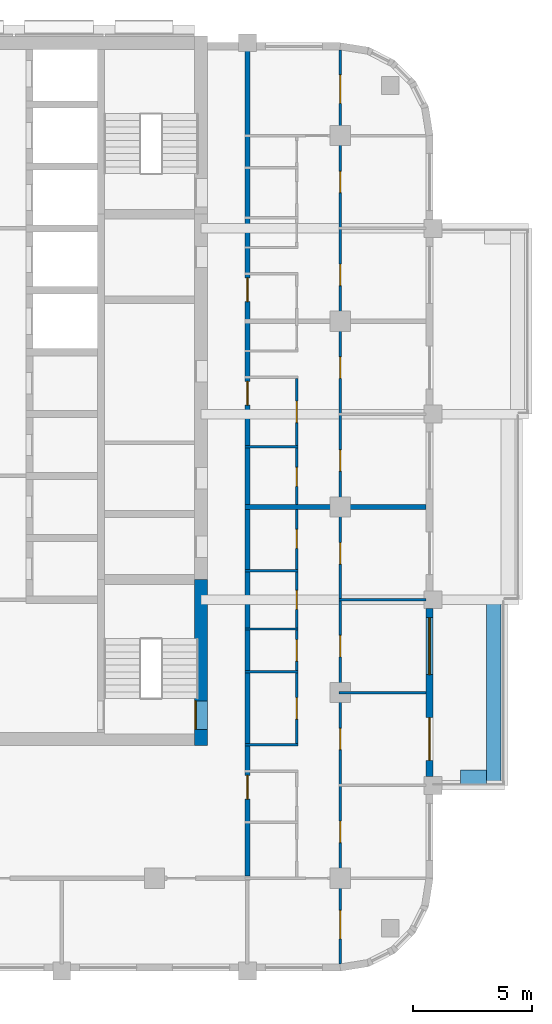
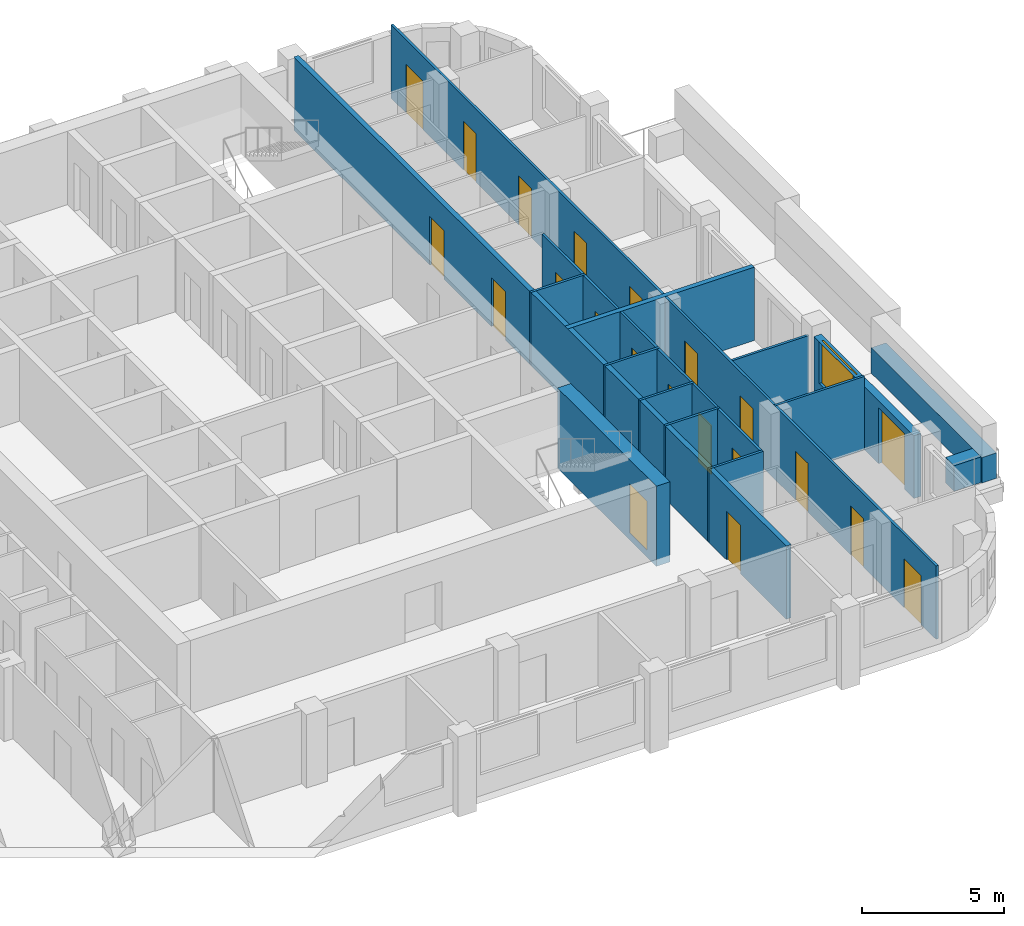
# One storey, part 6 of 13: 21 doors, 15 walls, 1 window, 22 openings.
"""IFC4 building model written with IfcOpenShell, lengths in metres."""

from ifc_helpers import new_model, si_unit, direction, frame, frame_2d, origin, place, context, subcontext, project, spatial, rectangle, extrude, material, layer, layer_set, type_object, element, fill, save


model = new_model("IFC4")

# Units and contexts
model_context = context("Model", 3, precision=1e-05, world=origin(), true_north=direction((0.0, 1.0)))
body_context = subcontext(model_context, "Body", "Model", "MODEL_VIEW")
ifc_project = project(units=[si_unit("LENGTHUNIT", "METRE"), si_unit("AREAUNIT", "SQUARE_METRE"), si_unit("VOLUMEUNIT", "CUBIC_METRE"), si_unit("PLANEANGLEUNIT", "RADIAN"), si_unit("MASSUNIT", "GRAM", prefix="KILO")], contexts=[model_context])

# Site, building, storey
site_placement = place(None, origin())
site = spatial("IfcSite", under=ifc_project, at=site_placement, CompositionType="ELEMENT")
building_placement = place(site_placement, origin())
building = spatial("IfcBuilding", under=site, at=building_placement, Name="Ludao Terraces", CompositionType="ELEMENT")
storey_placement = place(building_placement, frame((0.0, 0.0, 148.60009765625)))
storey = spatial("IfcBuildingStorey", under=building, at=storey_placement, Name="L40", CompositionType="ELEMENT", Elevation=148.60009765625)

# Wall, opening, door
ifc_material_1 = material(Name="Concrete C60", Category="concrete")
ifc_layer_1 = layer(ifc_material_1, 0.550048828125)
ifc_layer_set_1 = layer_set([ifc_layer_1], Name="Core wall 550 C60")
wall_type_1 = type_object("IfcWallType", Name="Core wall 550 C60", PredefinedType="SOLIDWALL", material=ifc_layer_set_1)
wall_1_placement = place(storey_placement, frame((94.75, 54.97509765625, -0.300048828125), z_axis=(0.0, 0.0, 1.0), x_axis=(0.0, 1.0, 0.0)))
wall_1 = element("IfcWall", 1, at=wall_1_placement, inside=storey, type_object=wall_type_1, Name="Core wall L40 outer-E-S3", PredefinedType="SOLIDWALL", context=body_context, shape_type="SweptSolid", body=[
    extrude(rectangle(XDim=6.974853515625, YDim=0.550048828125, at=frame_2d((3.4873046875, 0.0))), origin(), (0.0, 0.0, 1.0), 3.449951171875),
])
opening_1_placement = place(wall_1_placement, frame((0.675048828125, 0.0, 0.300048828125)))
opening_1 = element("IfcOpeningElement", 2, at=opening_1_placement, cuts=wall_1, Name="Opening R14-019", PredefinedType="OPENING", context=body_context, shape_type="SweptSolid", body=[
    extrude(rectangle(XDim=1.199951171875, YDim=2.10009765625, at=frame_2d((0.60009765625, 1.050048828125))), frame((0.0, 0.28515625, 0.0), z_axis=(0.0, -1.0, 0.0), x_axis=(1.0, 0.0, 0.0)), (0.0, 0.0, 1.0), 0.570068359375),
])
ifc_material_2 = material(Name="Steel Q235", Category="steel")
door_type_1 = type_object("IfcDoorType", Name="INT Stair door 1200", OperationType="DOUBLE_DOOR_SINGLE_SWING", PredefinedType="DOOR", material=ifc_material_2)
door_1_placement = place(opening_1_placement, origin())
door_1 = element("IfcDoor", 3, at=door_1_placement, inside=storey, type_object=door_type_1, Name="DOOR 019", OperationType="DOUBLE_DOOR_SINGLE_SWING", OverallHeight=2.10009765625, OverallWidth=1.199951171875, PredefinedType="DOOR", context=body_context, shape_type="SweptSolid", body=[
    extrude(rectangle(XDim=1.199951171875, YDim=2.10009765625, at=frame_2d((0.60009765625, 1.050048828125))), frame((0.0, 0.26025390625, 0.0), z_axis=(0.0, -1.0, 0.0), x_axis=(1.0, 0.0, 0.0)), (0.0, 0.0, 1.0), 0.050048828125),
])
fill(opening_1, door_1)

# Walls
ifc_material_3 = material(Name="Concrete C40", Category="concrete")
ifc_layer_2 = layer(ifc_material_3, 0.60009765625)
ifc_layer_set_2 = layer_set([ifc_layer_2], Name="ENV Planter trough 600")
wall_type_2 = type_object("IfcWallType", Name="ENV Planter trough 600", PredefinedType="USERDEFINED", material=ifc_layer_set_2)
wall_2_placement = place(storey_placement, frame((107.050048828125, 53.300048828125, 0.0), z_axis=(0.0, 0.0, 1.0), x_axis=(0.0, 1.0, 0.0)))
element("IfcWall", 4, at=wall_2_placement, inside=storey, type_object=wall_type_2, Name="PL-L40-E1", ObjectType="PLANTER", PredefinedType="USERDEFINED", context=body_context, shape_type="SweptSolid", body=[
    extrude(rectangle(XDim=7.800048828125, YDim=0.60009765625, at=frame_2d((3.89990234375, 0.0))), origin(), (0.0, 0.0, 1.0), 1.099853515625),
])
wall_3_placement = place(storey_placement, frame((106.75, 53.64990234375, 0.0), z_axis=(0.0, 0.0, 1.0), x_axis=(-1.0, 0.0, 0.0)))
element("IfcWall", 5, at=wall_3_placement, inside=storey, type_object=wall_type_2, Name="PL-L40-E1-SA", ObjectType="PLANTER", PredefinedType="USERDEFINED", context=body_context, shape_type="SweptSolid", body=[
    extrude(rectangle(XDim=1.10009765625, YDim=0.60009765625, at=frame_2d((0.550048828125, 0.0))), origin(), (0.0, 0.0, 1.0), 1.099853515625),
])

# Wall, openings, door, window
ifc_material_4 = material(Name="Granite cladding", Category="masonry")
ifc_layer_3 = layer(ifc_material_4, 0.0400390625, Category="stone")
ifc_material_5 = material(Name="Mineral wool")
ifc_layer_4 = layer(ifc_material_5, 0.06005859375)
ifc_layer_5 = layer(ifc_material_3, 0.199951171875, Category="concrete")
ifc_layer_set_3 = layer_set([ifc_layer_3, ifc_layer_4, ifc_layer_5], Name="ENV Stone-clad wall 300")
wall_type_3 = type_object("IfcWallType", Name="ENV Stone-clad wall 300", PredefinedType="SOLIDWALL", material=ifc_layer_set_3)
wall_4_placement = place(storey_placement, frame((104.35009765625, 53.675048828125, 0.0), z_axis=(0.0, 0.0, 1.0), x_axis=(0.0, 1.0, 0.0)))
wall_4 = element("IfcWall", 6, at=wall_4_placement, inside=storey, type_object=wall_type_3, Name="EW-L40-E2", PredefinedType="SOLIDWALL", context=body_context, shape_type="SweptSolid", body=[
    extrude(rectangle(XDim=7.050048828125, YDim=0.300048828125, at=frame_2d((3.52490234375, 0.0))), origin(), (0.0, 0.0, 1.0), 2.699951171875),
])
opening_2_placement = place(wall_4_placement, frame((0.675048828125, 0.0, 0.0)))
opening_2 = element("IfcOpeningElement", 7, at=opening_2_placement, cuts=wall_4, Name="Opening BD", PredefinedType="OPENING", context=body_context, shape_type="SweptSolid", body=[
    extrude(rectangle(XDim=1.800048828125, YDim=2.39990234375, at=frame_2d((0.89990234375, 1.199951171875))), frame((0.0, 0.16015625, 0.0), z_axis=(0.0, -1.0, 0.0), x_axis=(1.0, 0.0, 0.0)), (0.0, 0.0, 1.0), 0.320068359375),
])
opening_3_placement = place(wall_4_placement, frame((4.27490234375, 0.0, 0.89990234375)))
opening_3 = element("IfcOpeningElement", 8, at=opening_3_placement, cuts=wall_4, Name="Opening W1", PredefinedType="OPENING", context=body_context, shape_type="SweptSolid", body=[
    extrude(rectangle(XDim=2.39990234375, YDim=1.800048828125, at=frame_2d((1.199951171875, 0.89990234375))), frame((0.0, 0.16015625, 0.0), z_axis=(0.0, -1.0, 0.0), x_axis=(1.0, 0.0, 0.0)), (0.0, 0.0, 1.0), 0.320068359375),
])
ifc_material_6 = material(Name="Aluminium glazed door", Category="aluminium")
ifc_layer_6 = layer(ifc_material_6, 0.06005859375)
ifc_layer_set_4 = layer_set([ifc_layer_6], Name="ENV Balcony door BD 1800x2400")
door_type_2 = type_object("IfcDoorType", Name="ENV Balcony door BD 1800x2400", OperationType="DOUBLE_DOOR_SINGLE_SWING", PredefinedType="DOOR", material=ifc_layer_set_4)
door_2_placement = place(opening_2_placement, origin())
door_2 = element("IfcDoor", 9, at=door_2_placement, inside=storey, type_object=door_type_2, Name="BD-L40-E2-1", OperationType="DOUBLE_DOOR_SINGLE_SWING", OverallHeight=2.39990234375, OverallWidth=1.800048828125, PredefinedType="DOOR", context=body_context, shape_type="SweptSolid", body=[
    extrude(rectangle(XDim=1.800048828125, YDim=2.39990234375, at=frame_2d((0.89990234375, 1.199951171875))), frame((0.0, 0.02490234375, 0.0), z_axis=(0.0, -1.0, 0.0), x_axis=(1.0, 0.0, 0.0)), (0.0, 0.0, 1.0), 0.050048828125),
])
fill(opening_2, door_2)
ifc_material_7 = material(Name="Clear glass in aluminium frame", Category="aluminium")
ifc_layer_7 = layer(ifc_material_7, 0.06005859375)
ifc_layer_set_5 = layer_set([ifc_layer_7], Name="ENV Window W1 2400x1800")
window_type = type_object("IfcWindowType", Name="ENV Window W1 2400x1800", PartitioningType="DOUBLE_PANEL_VERTICAL", PredefinedType="WINDOW", material=ifc_layer_set_5)
window_placement = place(opening_3_placement, origin())
window = element("IfcWindow", 10, at=window_placement, inside=storey, type_object=window_type, Name="W-L40-E2-2", OverallHeight=1.800048828125, OverallWidth=2.39990234375, PartitioningType="DOUBLE_PANEL_VERTICAL", PredefinedType="WINDOW", context=body_context, shape_type="SweptSolid", body=[
    extrude(rectangle(XDim=2.39990234375, YDim=1.800048828125, at=frame_2d((1.199951171875, 0.89990234375))), frame((0.0, 0.030029296875, 0.0), z_axis=(0.0, -1.0, 0.0), x_axis=(1.0, 0.0, 0.0)), (0.0, 0.0, 1.0), 0.06005859375),
])
fill(opening_3, window)

# Wall, openings, doors
ifc_material_8 = material(Name="Autoclaved aerated concrete block B06 A3.5", Category="concrete")
ifc_layer_8 = layer(ifc_material_8, 0.199951171875)
ifc_layer_set_6 = layer_set([ifc_layer_8], Name="INT Entrance wall 200")
wall_type_4 = type_object("IfcWallType", Name="INT Entrance wall 200", PredefinedType="PARTITIONING", material=ifc_layer_set_6)
wall_5_placement = place(storey_placement, frame((96.699951171875, 49.5, 0.0), z_axis=(0.0, 0.0, 1.0), x_axis=(0.0, 1.0, 0.0)))
wall_5 = element("IfcWall", 11, at=wall_5_placement, inside=storey, type_object=wall_type_4, Name="PW-L40-PW059", PredefinedType="PARTITIONING", context=body_context, shape_type="SweptSolid", body=[
    extrude(rectangle(XDim=34.7001953125, YDim=0.199951171875, at=frame_2d((17.35009765625, 0.0))), origin(), (0.0, 0.0, 1.0), 3.14990234375),
])
opening_4_placement = place(wall_5_placement, frame((3.22509765625, 0.0, 0.0)))
opening_4 = element("IfcOpeningElement", 12, at=opening_4_placement, cuts=wall_5, Name="Opening R14-013", PredefinedType="OPENING", context=body_context, shape_type="SweptSolid", body=[
    extrude(rectangle(XDim=1.0, YDim=2.10009765625, at=frame_2d((0.5, 1.050048828125))), frame((0.0, 0.10986328125, 0.0), z_axis=(0.0, -1.0, 0.0), x_axis=(1.0, 0.0, 0.0)), (0.0, 0.0, 1.0), 0.219970703125),
])
opening_5_placement = place(wall_5_placement, frame((19.775146484375, 0.0, 0.0)))
opening_5 = element("IfcOpeningElement", 13, at=opening_5_placement, cuts=wall_5, Name="Opening R14-052", PredefinedType="OPENING", context=body_context, shape_type="SweptSolid", body=[
    extrude(rectangle(XDim=1.0, YDim=2.10009765625, at=frame_2d((0.5, 1.050048828125))), frame((0.0, 0.10986328125, 0.0), z_axis=(0.0, -1.0, 0.0), x_axis=(1.0, 0.0, 0.0)), (0.0, 0.0, 1.0), 0.219970703125),
])
opening_6_placement = place(wall_5_placement, frame((24.125, 0.0, 0.0)))
opening_6 = element("IfcOpeningElement", 14, at=opening_6_placement, cuts=wall_5, Name="Opening R14-064", PredefinedType="OPENING", context=body_context, shape_type="SweptSolid", body=[
    extrude(rectangle(XDim=1.0, YDim=2.10009765625, at=frame_2d((0.5, 1.050048828125))), frame((0.0, 0.10986328125, 0.0), z_axis=(0.0, -1.0, 0.0), x_axis=(1.0, 0.0, 0.0)), (0.0, 0.0, 1.0), 0.219970703125),
])
door_type_3 = type_object("IfcDoorType", Name="INT Flat entrance door 1000", OperationType="SINGLE_SWING_LEFT", PredefinedType="DOOR", material=ifc_material_2)
door_3_placement = place(opening_4_placement, origin())
door_3 = element("IfcDoor", 15, at=door_3_placement, inside=storey, type_object=door_type_3, Name="DOOR 013", OperationType="SINGLE_SWING_RIGHT", OverallHeight=2.10009765625, OverallWidth=1.0, PredefinedType="DOOR", context=body_context, shape_type="SweptSolid", body=[
    extrude(rectangle(XDim=1.0, YDim=2.10009765625, at=frame_2d((0.5, 1.050048828125))), frame((0.0, 0.02490234375, 0.0), z_axis=(0.0, -1.0, 0.0), x_axis=(1.0, 0.0, 0.0)), (0.0, 0.0, 1.0), 0.050048828125),
])
fill(opening_4, door_3)
door_4_placement = place(opening_5_placement, origin())
door_4 = element("IfcDoor", 16, at=door_4_placement, inside=storey, type_object=door_type_3, Name="DOOR 052", OperationType="SINGLE_SWING_RIGHT", OverallHeight=2.10009765625, OverallWidth=1.0, PredefinedType="DOOR", context=body_context, shape_type="SweptSolid", body=[
    extrude(rectangle(XDim=1.0, YDim=2.10009765625, at=frame_2d((0.5, 1.050048828125))), frame((0.0, 0.02490234375, 0.0), z_axis=(0.0, -1.0, 0.0), x_axis=(1.0, 0.0, 0.0)), (0.0, 0.0, 1.0), 0.050048828125),
])
fill(opening_5, door_4)
door_5_placement = place(opening_6_placement, origin())
door_5 = element("IfcDoor", 17, at=door_5_placement, inside=storey, type_object=door_type_3, Name="DOOR 064", OperationType="SINGLE_SWING_RIGHT", OverallHeight=2.10009765625, OverallWidth=1.0, PredefinedType="DOOR", context=body_context, shape_type="SweptSolid", body=[
    extrude(rectangle(XDim=1.0, YDim=2.10009765625, at=frame_2d((0.5, 1.050048828125))), frame((0.0, 0.02490234375, 0.0), z_axis=(0.0, -1.0, 0.0), x_axis=(1.0, 0.0, 0.0)), (0.0, 0.0, 1.0), 0.050048828125),
])
fill(opening_6, door_5)

# Walls
ifc_material_9 = material(Name="Gypsum plasterboard", Category="gypsum")
ifc_layer_9 = layer(ifc_material_9, 0.012451171875, Category="gypsum")
ifc_layer_10 = layer(ifc_material_5, 0.06005859375, Name="insulation")
ifc_layer_11 = layer(ifc_material_2, 0.014892578125, Name="stud")
ifc_layer_12 = layer(ifc_material_9, 0.012451171875, Category="gypsum")
ifc_layer_set_7 = layer_set([ifc_layer_9, ifc_layer_10, ifc_layer_11, ifc_layer_12], Name="INT Partition 100")
wall_type_5 = type_object("IfcWallType", Name="INT Partition 100", PredefinedType="PARTITIONING", material=ifc_layer_set_7)
wall_6_placement = place(storey_placement, frame((96.60009765625, 55.0, 0.0), z_axis=(0.0, 0.0, 1.0), x_axis=(1.0, 0.0, 0.0)))
element("IfcWall", 18, at=wall_6_placement, inside=storey, type_object=wall_type_5, Name="PW-L40-PW008", PredefinedType="PARTITIONING", context=body_context, shape_type="SweptSolid", body=[
    extrude(rectangle(XDim=2.219970703125, YDim=0.10009765625, at=frame_2d((1.10986328125, 0.0))), origin(), (0.0, 0.0, 1.0), 3.14990234375),
])
wall_7_placement = place(storey_placement, frame((100.550048828125, 57.199951171875, 0.0), z_axis=(0.0, 0.0, 1.0), x_axis=(1.0, 0.0, 0.0)))
element("IfcWall", 19, at=wall_7_placement, inside=storey, type_object=wall_type_5, Name="PW-L40-PW011", PredefinedType="PARTITIONING", context=body_context, shape_type="SweptSolid", body=[
    extrude(rectangle(XDim=3.650146484375, YDim=0.10009765625, at=frame_2d((1.8251953125, 0.0))), origin(), (0.0, 0.0, 1.0), 3.14990234375),
])
for number, where, z_axis, x_axis, name in (
    (20, (96.60009765625, 58.070068359375, 0.0), (0.0, 0.0, 1.0), (1.0, 0.0, 0.0), "PW-L40-PW012"),
    (21, (96.60009765625, 59.8701171875, 0.0), (0.0, 0.0, 1.0), (1.0, 0.0, 0.0), "PW-L40-PW015"),
):
    element("IfcWall", number, at=place(storey_placement, frame(where, z_axis=z_axis, x_axis=x_axis)), inside=storey, type_object=wall_type_5, Name=name, PredefinedType="PARTITIONING", context=body_context, shape_type="SweptSolid", body=[
        extrude(rectangle(XDim=2.219970703125, YDim=0.10009765625, at=frame_2d((1.10986328125, 0.0))), origin(), (0.0, 0.0, 1.0), 3.14990234375),
    ])
wall_8_placement = place(storey_placement, frame((100.550048828125, 61.10009765625, 0.0), z_axis=(0.0, 0.0, 1.0), x_axis=(1.0, 0.0, 0.0)))
element("IfcWall", 22, at=wall_8_placement, inside=storey, type_object=wall_type_5, Name="PW-L40-PW018", PredefinedType="PARTITIONING", context=body_context, shape_type="SweptSolid", body=[
    extrude(rectangle(XDim=3.650146484375, YDim=0.10009765625, at=frame_2d((1.8251953125, 0.0))), origin(), (0.0, 0.0, 1.0), 2.5498046875),
])
for number, where, z_axis, x_axis, name in (
    (23, (96.60009765625, 62.320068359375, 0.0), (0.0, 0.0, 1.0), (1.0, 0.0, 0.0), "PW-L40-PW019"),
    (24, (96.60009765625, 67.530029296875, 0.0), (0.0, 0.0, 1.0), (1.0, 0.0, 0.0), "PW-L40-PW026"),
):
    element("IfcWall", number, at=place(storey_placement, frame(where, z_axis=z_axis, x_axis=x_axis)), inside=storey, type_object=wall_type_5, Name=name, PredefinedType="PARTITIONING", context=body_context, shape_type="SweptSolid", body=[
        extrude(rectangle(XDim=2.219970703125, YDim=0.10009765625, at=frame_2d((1.10986328125, 0.0))), origin(), (0.0, 0.0, 1.0), 3.14990234375),
    ])

# Wall, openings, doors
wall_9_placement = place(storey_placement, frame((98.77001953125, 55.050048828125, 0.0), z_axis=(0.0, 0.0, 1.0), x_axis=(0.0, 1.0, 0.0)))
wall_9 = element("IfcWall", 25, at=wall_9_placement, inside=storey, type_object=wall_type_5, Name="PW-L40-PW061", PredefinedType="PARTITIONING", context=body_context, shape_type="SweptSolid", body=[
    extrude(rectangle(XDim=15.35009765625, YDim=0.10009765625, at=frame_2d((7.675048828125, 0.0))), origin(), (0.0, 0.0, 1.0), 3.14990234375),
])
opening_7_placement = place(wall_9_placement, frame((1.034912109375, 0.0, 0.0)))
opening_7 = element("IfcOpeningElement", 26, at=opening_7_placement, cuts=wall_9, Name="Opening R14-020", PredefinedType="OPENING", context=body_context, shape_type="SweptSolid", body=[
    extrude(rectangle(XDim=0.89990234375, YDim=2.10009765625, at=frame_2d((0.449951171875, 1.050048828125))), frame((0.0, 0.06005859375, 0.0), z_axis=(0.0, -1.0, 0.0), x_axis=(1.0, 0.0, 0.0)), (0.0, 0.0, 1.0), 0.1201171875),
])
opening_8_placement = place(wall_9_placement, frame((3.469970703125, 0.0, 0.0)))
opening_8 = element("IfcOpeningElement", 27, at=opening_8_placement, cuts=wall_9, Name="Opening R14-023", PredefinedType="OPENING", context=body_context, shape_type="SweptSolid", body=[
    extrude(rectangle(XDim=0.89990234375, YDim=2.10009765625, at=frame_2d((0.449951171875, 1.050048828125))), frame((0.0, 0.06005859375, 0.0), z_axis=(0.0, -1.0, 0.0), x_axis=(1.0, 0.0, 0.0)), (0.0, 0.0, 1.0), 0.1201171875),
])
opening_9_placement = place(wall_9_placement, frame((5.64501953125, 0.0, 0.0)))
opening_9 = element("IfcOpeningElement", 28, at=opening_9_placement, cuts=wall_9, Name="Opening R14-028", PredefinedType="OPENING", context=body_context, shape_type="SweptSolid", body=[
    extrude(rectangle(XDim=0.800048828125, YDim=2.10009765625, at=frame_2d((0.39990234375, 1.050048828125))), frame((0.0, 0.06005859375, 0.0), z_axis=(0.0, -1.0, 0.0), x_axis=(1.0, 0.0, 0.0)), (0.0, 0.0, 1.0), 0.1201171875),
])
opening_10_placement = place(wall_9_placement, frame((8.2099609375, 0.0, 0.0)))
opening_10 = element("IfcOpeningElement", 29, at=opening_10_placement, cuts=wall_9, Name="Opening R14-037", PredefinedType="OPENING", context=body_context, shape_type="SweptSolid", body=[
    extrude(rectangle(XDim=0.800048828125, YDim=2.10009765625, at=frame_2d((0.39990234375, 1.050048828125))), frame((0.0, 0.06005859375, 0.0), z_axis=(0.0, -1.0, 0.0), x_axis=(1.0, 0.0, 0.0)), (0.0, 0.0, 1.0), 0.1201171875),
])
opening_11_placement = place(wall_9_placement, frame((10.81494140625, 0.0, 0.0)))
opening_11 = element("IfcOpeningElement", 30, at=opening_11_placement, cuts=wall_9, Name="Opening R14-043", PredefinedType="OPENING", context=body_context, shape_type="SweptSolid", body=[
    extrude(rectangle(XDim=0.800048828125, YDim=2.10009765625, at=frame_2d((0.39990234375, 1.050048828125))), frame((0.0, 0.06005859375, 0.0), z_axis=(0.0, -1.0, 0.0), x_axis=(1.0, 0.0, 0.0)), (0.0, 0.0, 1.0), 0.1201171875),
])
opening_12_placement = place(wall_9_placement, frame((13.489990234375, 0.0, 0.0)))
opening_12 = element("IfcOpeningElement", 31, at=opening_12_placement, cuts=wall_9, Name="Opening R14-050", PredefinedType="OPENING", context=body_context, shape_type="SweptSolid", body=[
    extrude(rectangle(XDim=0.89990234375, YDim=2.10009765625, at=frame_2d((0.449951171875, 1.050048828125))), frame((0.0, 0.06005859375, 0.0), z_axis=(0.0, -1.0, 0.0), x_axis=(1.0, 0.0, 0.0)), (0.0, 0.0, 1.0), 0.1201171875),
])
ifc_material_10 = material(Name="Timber door leaf", Category="wood")
door_type_4 = type_object("IfcDoorType", Name="INT Bathroom door 900", OperationType="SINGLE_SWING_LEFT", PredefinedType="DOOR", material=ifc_material_10)
door_6_placement = place(opening_8_placement, origin())
door_6 = element("IfcDoor", 32, at=door_6_placement, inside=storey, type_object=door_type_4, Name="DOOR 023", OperationType="SINGLE_SWING_RIGHT", OverallHeight=2.10009765625, OverallWidth=0.89990234375, PredefinedType="DOOR", context=body_context, shape_type="SweptSolid", body=[
    extrude(rectangle(XDim=0.89990234375, YDim=2.10009765625, at=frame_2d((0.449951171875, 1.050048828125))), frame((0.0, 0.02490234375, 0.0), z_axis=(0.0, -1.0, 0.0), x_axis=(1.0, 0.0, 0.0)), (0.0, 0.0, 1.0), 0.050048828125),
])
fill(opening_8, door_6)
door_type_5 = type_object("IfcDoorType", Name="INT Room door 900", OperationType="SINGLE_SWING_LEFT", PredefinedType="DOOR", material=ifc_material_10)
door_7_placement = place(opening_7_placement, origin())
door_7 = element("IfcDoor", 33, at=door_7_placement, inside=storey, type_object=door_type_5, Name="DOOR 020", OperationType="SINGLE_SWING_RIGHT", OverallHeight=2.10009765625, OverallWidth=0.89990234375, PredefinedType="DOOR", context=body_context, shape_type="SweptSolid", body=[
    extrude(rectangle(XDim=0.89990234375, YDim=2.10009765625, at=frame_2d((0.449951171875, 1.050048828125))), frame((0.0, 0.02490234375, 0.0), z_axis=(0.0, -1.0, 0.0), x_axis=(1.0, 0.0, 0.0)), (0.0, 0.0, 1.0), 0.050048828125),
])
fill(opening_7, door_7)
door_8_placement = place(opening_12_placement, origin())
door_8 = element("IfcDoor", 34, at=door_8_placement, inside=storey, type_object=door_type_5, Name="DOOR 050", OperationType="SINGLE_SWING_LEFT", OverallHeight=2.10009765625, OverallWidth=0.89990234375, PredefinedType="DOOR", context=body_context, shape_type="SweptSolid", body=[
    extrude(rectangle(XDim=0.89990234375, YDim=2.10009765625, at=frame_2d((0.449951171875, 1.050048828125))), frame((0.0, 0.02490234375, 0.0), z_axis=(0.0, -1.0, 0.0), x_axis=(1.0, 0.0, 0.0)), (0.0, 0.0, 1.0), 0.050048828125),
])
fill(opening_12, door_8)
door_type_6 = type_object("IfcDoorType", Name="INT Store door 800", OperationType="SINGLE_SWING_LEFT", PredefinedType="DOOR", material=ifc_material_10)
door_9_placement = place(opening_9_placement, origin())
door_9 = element("IfcDoor", 35, at=door_9_placement, inside=storey, type_object=door_type_6, Name="DOOR 028", OperationType="SINGLE_SWING_RIGHT", OverallHeight=2.10009765625, OverallWidth=0.800048828125, PredefinedType="DOOR", context=body_context, shape_type="SweptSolid", body=[
    extrude(rectangle(XDim=0.800048828125, YDim=2.10009765625, at=frame_2d((0.39990234375, 1.050048828125))), frame((0.0, 0.02490234375, 0.0), z_axis=(0.0, -1.0, 0.0), x_axis=(1.0, 0.0, 0.0)), (0.0, 0.0, 1.0), 0.050048828125),
])
fill(opening_9, door_9)
door_10_placement = place(opening_10_placement, origin())
door_10 = element("IfcDoor", 36, at=door_10_placement, inside=storey, type_object=door_type_6, Name="DOOR 037", OperationType="SINGLE_SWING_LEFT", OverallHeight=2.10009765625, OverallWidth=0.800048828125, PredefinedType="DOOR", context=body_context, shape_type="SweptSolid", body=[
    extrude(rectangle(XDim=0.800048828125, YDim=2.10009765625, at=frame_2d((0.39990234375, 1.050048828125))), frame((0.0, 0.02490234375, 0.0), z_axis=(0.0, -1.0, 0.0), x_axis=(1.0, 0.0, 0.0)), (0.0, 0.0, 1.0), 0.050048828125),
])
fill(opening_10, door_10)
door_11_placement = place(opening_11_placement, origin())
door_11 = element("IfcDoor", 37, at=door_11_placement, inside=storey, type_object=door_type_6, Name="DOOR 043", OperationType="SINGLE_SWING_LEFT", OverallHeight=2.10009765625, OverallWidth=0.800048828125, PredefinedType="DOOR", context=body_context, shape_type="SweptSolid", body=[
    extrude(rectangle(XDim=0.800048828125, YDim=2.10009765625, at=frame_2d((0.39990234375, 1.050048828125))), frame((0.0, 0.02490234375, 0.0), z_axis=(0.0, -1.0, 0.0), x_axis=(1.0, 0.0, 0.0)), (0.0, 0.0, 1.0), 0.050048828125),
])
fill(opening_11, door_11)

wall_10_placement = place(storey_placement, frame((100.60009765625, 45.800048828125, 0.0), z_axis=(0.0, 0.0, 1.0), x_axis=(0.0, 1.0, 0.0)))
wall_10 = element("IfcWall", 38, at=wall_10_placement, inside=storey, type_object=wall_type_5, Name="PW-L40-PW064", PredefinedType="PARTITIONING", context=body_context, shape_type="SweptSolid", body=[
    extrude(rectangle(XDim=38.400146484375, YDim=0.10009765625, at=frame_2d((19.2001953125, 0.0))), origin(), (0.0, 0.0, 1.0), 3.14990234375),
])
opening_13_placement = place(wall_10_placement, frame((1.050048828125, 0.0, 0.0)))
opening_13 = element("IfcOpeningElement", 39, at=opening_13_placement, cuts=wall_10, Name="Opening R14-002", PredefinedType="OPENING", context=body_context, shape_type="SweptSolid", body=[
    extrude(rectangle(XDim=1.199951171875, YDim=2.10009765625, at=frame_2d((0.60009765625, 1.050048828125))), frame((0.0, 0.06005859375, 0.0), z_axis=(0.0, -1.0, 0.0), x_axis=(1.0, 0.0, 0.0)), (0.0, 0.0, 1.0), 0.1201171875),
])
opening_14_placement = place(wall_10_placement, frame((5.10009765625, 0.0, 0.0)))
opening_14 = element("IfcOpeningElement", 40, at=opening_14_placement, cuts=wall_10, Name="Opening R14-010", PredefinedType="OPENING", context=body_context, shape_type="SweptSolid", body=[
    extrude(rectangle(XDim=0.89990234375, YDim=2.10009765625, at=frame_2d((0.449951171875, 1.050048828125))), frame((0.0, 0.06005859375, 0.0), z_axis=(0.0, -1.0, 0.0), x_axis=(1.0, 0.0, 0.0)), (0.0, 0.0, 1.0), 0.1201171875),
])
opening_15_placement = place(wall_10_placement, frame((9.0, 0.0, 0.0)))
opening_15 = element("IfcOpeningElement", 41, at=opening_15_placement, cuts=wall_10, Name="Opening R14-017", PredefinedType="OPENING", context=body_context, shape_type="SweptSolid", body=[
    extrude(rectangle(XDim=0.89990234375, YDim=2.10009765625, at=frame_2d((0.449951171875, 1.050048828125))), frame((0.0, 0.06005859375, 0.0), z_axis=(0.0, -1.0, 0.0), x_axis=(1.0, 0.0, 0.0)), (0.0, 0.0, 1.0), 0.1201171875),
])
opening_16_placement = place(wall_10_placement, frame((12.89990234375, 0.0, 0.0)))
opening_16 = element("IfcOpeningElement", 42, at=opening_16_placement, cuts=wall_10, Name="Opening R14-025", PredefinedType="OPENING", context=body_context, shape_type="SweptSolid", body=[
    extrude(rectangle(XDim=0.89990234375, YDim=2.10009765625, at=frame_2d((0.449951171875, 1.050048828125))), frame((0.0, 0.06005859375, 0.0), z_axis=(0.0, -1.0, 0.0), x_axis=(1.0, 0.0, 0.0)), (0.0, 0.0, 1.0), 0.1201171875),
])
opening_17_placement = place(wall_10_placement, frame((16.800048828125, 0.0, 0.0)))
opening_17 = element("IfcOpeningElement", 43, at=opening_17_placement, cuts=wall_10, Name="Opening R14-035", PredefinedType="OPENING", context=body_context, shape_type="SweptSolid", body=[
    extrude(rectangle(XDim=0.89990234375, YDim=2.10009765625, at=frame_2d((0.449951171875, 1.050048828125))), frame((0.0, 0.06005859375, 0.0), z_axis=(0.0, -1.0, 0.0), x_axis=(1.0, 0.0, 0.0)), (0.0, 0.0, 1.0), 0.1201171875),
])
opening_18_placement = place(wall_10_placement, frame((20.699951171875, 0.0, 0.0)))
opening_18 = element("IfcOpeningElement", 44, at=opening_18_placement, cuts=wall_10, Name="Opening R14-046", PredefinedType="OPENING", context=body_context, shape_type="SweptSolid", body=[
    extrude(rectangle(XDim=0.89990234375, YDim=2.10009765625, at=frame_2d((0.449951171875, 1.050048828125))), frame((0.0, 0.06005859375, 0.0), z_axis=(0.0, -1.0, 0.0), x_axis=(1.0, 0.0, 0.0)), (0.0, 0.0, 1.0), 0.1201171875),
])
opening_19_placement = place(wall_10_placement, frame((24.60009765625, 0.0, 0.0)))
opening_19 = element("IfcOpeningElement", 45, at=opening_19_placement, cuts=wall_10, Name="Opening R14-057", PredefinedType="OPENING", context=body_context, shape_type="SweptSolid", body=[
    extrude(rectangle(XDim=0.89990234375, YDim=2.10009765625, at=frame_2d((0.449951171875, 1.050048828125))), frame((0.0, 0.06005859375, 0.0), z_axis=(0.0, -1.0, 0.0), x_axis=(1.0, 0.0, 0.0)), (0.0, 0.0, 1.0), 0.1201171875),
])
opening_20_placement = place(wall_10_placement, frame((28.5, 0.0, 0.0)))
opening_20 = element("IfcOpeningElement", 46, at=opening_20_placement, cuts=wall_10, Name="Opening R14-066", PredefinedType="OPENING", context=body_context, shape_type="SweptSolid", body=[
    extrude(rectangle(XDim=0.89990234375, YDim=2.10009765625, at=frame_2d((0.449951171875, 1.050048828125))), frame((0.0, 0.06005859375, 0.0), z_axis=(0.0, -1.0, 0.0), x_axis=(1.0, 0.0, 0.0)), (0.0, 0.0, 1.0), 0.1201171875),
])
opening_21_placement = place(wall_10_placement, frame((32.39990234375, 0.0, 0.0)))
opening_21 = element("IfcOpeningElement", 47, at=opening_21_placement, cuts=wall_10, Name="Opening R14-082", PredefinedType="OPENING", context=body_context, shape_type="SweptSolid", body=[
    extrude(rectangle(XDim=0.89990234375, YDim=2.10009765625, at=frame_2d((0.449951171875, 1.050048828125))), frame((0.0, 0.06005859375, 0.0), z_axis=(0.0, -1.0, 0.0), x_axis=(1.0, 0.0, 0.0)), (0.0, 0.0, 1.0), 0.1201171875),
])
opening_22_placement = place(wall_10_placement, frame((36.14990234375, 0.0, 0.0)))
opening_22 = element("IfcOpeningElement", 48, at=opening_22_placement, cuts=wall_10, Name="Opening R14-090", PredefinedType="OPENING", context=body_context, shape_type="SweptSolid", body=[
    extrude(rectangle(XDim=1.199951171875, YDim=2.10009765625, at=frame_2d((0.60009765625, 1.050048828125))), frame((0.0, 0.06005859375, 0.0), z_axis=(0.0, -1.0, 0.0), x_axis=(1.0, 0.0, 0.0)), (0.0, 0.0, 1.0), 0.1201171875),
])
door_type_7 = type_object("IfcDoorType", Name="INT Double door 1200", OperationType="DOUBLE_DOOR_SINGLE_SWING", PredefinedType="DOOR", material=ifc_material_10)
door_12_placement = place(opening_13_placement, origin())
door_12 = element("IfcDoor", 49, at=door_12_placement, inside=storey, type_object=door_type_7, Name="DOOR 002", OperationType="DOUBLE_DOOR_SINGLE_SWING", OverallHeight=2.10009765625, OverallWidth=1.199951171875, PredefinedType="DOOR", context=body_context, shape_type="SweptSolid", body=[
    extrude(rectangle(XDim=1.199951171875, YDim=2.10009765625, at=frame_2d((0.60009765625, 1.050048828125))), frame((0.0, 0.02490234375, 0.0), z_axis=(0.0, -1.0, 0.0), x_axis=(1.0, 0.0, 0.0)), (0.0, 0.0, 1.0), 0.050048828125),
])
fill(opening_13, door_12)
door_13_placement = place(opening_22_placement, origin())
door_13 = element("IfcDoor", 50, at=door_13_placement, inside=storey, type_object=door_type_7, Name="DOOR 090", OperationType="DOUBLE_DOOR_SINGLE_SWING", OverallHeight=2.10009765625, OverallWidth=1.199951171875, PredefinedType="DOOR", context=body_context, shape_type="SweptSolid", body=[
    extrude(rectangle(XDim=1.199951171875, YDim=2.10009765625, at=frame_2d((0.60009765625, 1.050048828125))), frame((0.0, 0.02490234375, 0.0), z_axis=(0.0, -1.0, 0.0), x_axis=(1.0, 0.0, 0.0)), (0.0, 0.0, 1.0), 0.050048828125),
])
fill(opening_22, door_13)
door_14_placement = place(opening_14_placement, origin())
door_14 = element("IfcDoor", 51, at=door_14_placement, inside=storey, type_object=door_type_5, Name="DOOR 010", OperationType="SINGLE_SWING_RIGHT", OverallHeight=2.10009765625, OverallWidth=0.89990234375, PredefinedType="DOOR", context=body_context, shape_type="SweptSolid", body=[
    extrude(rectangle(XDim=0.89990234375, YDim=2.10009765625, at=frame_2d((0.449951171875, 1.050048828125))), frame((0.0, 0.02490234375, 0.0), z_axis=(0.0, -1.0, 0.0), x_axis=(1.0, 0.0, 0.0)), (0.0, 0.0, 1.0), 0.050048828125),
])
fill(opening_14, door_14)
door_15_placement = place(opening_15_placement, origin())
door_15 = element("IfcDoor", 52, at=door_15_placement, inside=storey, type_object=door_type_5, Name="DOOR 017", OperationType="SINGLE_SWING_RIGHT", OverallHeight=2.10009765625, OverallWidth=0.89990234375, PredefinedType="DOOR", context=body_context, shape_type="SweptSolid", body=[
    extrude(rectangle(XDim=0.89990234375, YDim=2.10009765625, at=frame_2d((0.449951171875, 1.050048828125))), frame((0.0, 0.02490234375, 0.0), z_axis=(0.0, -1.0, 0.0), x_axis=(1.0, 0.0, 0.0)), (0.0, 0.0, 1.0), 0.050048828125),
])
fill(opening_15, door_15)
door_16_placement = place(opening_16_placement, origin())
door_16 = element("IfcDoor", 53, at=door_16_placement, inside=storey, type_object=door_type_5, Name="DOOR 025", OperationType="SINGLE_SWING_RIGHT", OverallHeight=2.10009765625, OverallWidth=0.89990234375, PredefinedType="DOOR", context=body_context, shape_type="SweptSolid", body=[
    extrude(rectangle(XDim=0.89990234375, YDim=2.10009765625, at=frame_2d((0.449951171875, 1.050048828125))), frame((0.0, 0.02490234375, 0.0), z_axis=(0.0, -1.0, 0.0), x_axis=(1.0, 0.0, 0.0)), (0.0, 0.0, 1.0), 0.050048828125),
])
fill(opening_16, door_16)
door_17_placement = place(opening_17_placement, origin())
door_17 = element("IfcDoor", 54, at=door_17_placement, inside=storey, type_object=door_type_5, Name="DOOR 035", OperationType="SINGLE_SWING_LEFT", OverallHeight=2.10009765625, OverallWidth=0.89990234375, PredefinedType="DOOR", context=body_context, shape_type="SweptSolid", body=[
    extrude(rectangle(XDim=0.89990234375, YDim=2.10009765625, at=frame_2d((0.449951171875, 1.050048828125))), frame((0.0, 0.02490234375, 0.0), z_axis=(0.0, -1.0, 0.0), x_axis=(1.0, 0.0, 0.0)), (0.0, 0.0, 1.0), 0.050048828125),
])
fill(opening_17, door_17)
door_18_placement = place(opening_18_placement, origin())
door_18 = element("IfcDoor", 55, at=door_18_placement, inside=storey, type_object=door_type_5, Name="DOOR 046", OperationType="SINGLE_SWING_LEFT", OverallHeight=2.10009765625, OverallWidth=0.89990234375, PredefinedType="DOOR", context=body_context, shape_type="SweptSolid", body=[
    extrude(rectangle(XDim=0.89990234375, YDim=2.10009765625, at=frame_2d((0.449951171875, 1.050048828125))), frame((0.0, 0.02490234375, 0.0), z_axis=(0.0, -1.0, 0.0), x_axis=(1.0, 0.0, 0.0)), (0.0, 0.0, 1.0), 0.050048828125),
])
fill(opening_18, door_18)
door_19_placement = place(opening_19_placement, origin())
door_19 = element("IfcDoor", 56, at=door_19_placement, inside=storey, type_object=door_type_5, Name="DOOR 057", OperationType="SINGLE_SWING_LEFT", OverallHeight=2.10009765625, OverallWidth=0.89990234375, PredefinedType="DOOR", context=body_context, shape_type="SweptSolid", body=[
    extrude(rectangle(XDim=0.89990234375, YDim=2.10009765625, at=frame_2d((0.449951171875, 1.050048828125))), frame((0.0, 0.02490234375, 0.0), z_axis=(0.0, -1.0, 0.0), x_axis=(1.0, 0.0, 0.0)), (0.0, 0.0, 1.0), 0.050048828125),
])
fill(opening_19, door_19)
door_20_placement = place(opening_20_placement, origin())
door_20 = element("IfcDoor", 57, at=door_20_placement, inside=storey, type_object=door_type_5, Name="DOOR 066", OperationType="SINGLE_SWING_LEFT", OverallHeight=2.10009765625, OverallWidth=0.89990234375, PredefinedType="DOOR", context=body_context, shape_type="SweptSolid", body=[
    extrude(rectangle(XDim=0.89990234375, YDim=2.10009765625, at=frame_2d((0.449951171875, 1.050048828125))), frame((0.0, 0.02490234375, 0.0), z_axis=(0.0, -1.0, 0.0), x_axis=(1.0, 0.0, 0.0)), (0.0, 0.0, 1.0), 0.050048828125),
])
fill(opening_20, door_20)
door_21_placement = place(opening_21_placement, origin())
door_21 = element("IfcDoor", 58, at=door_21_placement, inside=storey, type_object=door_type_5, Name="DOOR 082", OperationType="SINGLE_SWING_LEFT", OverallHeight=2.10009765625, OverallWidth=0.89990234375, PredefinedType="DOOR", context=body_context, shape_type="SweptSolid", body=[
    extrude(rectangle(XDim=0.89990234375, YDim=2.10009765625, at=frame_2d((0.449951171875, 1.050048828125))), frame((0.0, 0.02490234375, 0.0), z_axis=(0.0, -1.0, 0.0), x_axis=(1.0, 0.0, 0.0)), (0.0, 0.0, 1.0), 0.050048828125),
])
fill(opening_21, door_21)

# Wall
ifc_layer_13 = layer(ifc_material_8, 0.199951171875)
ifc_layer_set_8 = layer_set([ifc_layer_13], Name="INT Party wall 200")
wall_type_6 = type_object("IfcWallType", Name="INT Party wall 200", PredefinedType="PARTITIONING", material=ifc_layer_set_8)
wall_11_placement = place(storey_placement, frame((96.60009765625, 65.0, 0.0), z_axis=(0.0, 0.0, 1.0), x_axis=(1.0, 0.0, 0.0)))
element("IfcWall", 59, at=wall_11_placement, inside=storey, type_object=wall_type_6, Name="PW-L40-PW023", PredefinedType="PARTITIONING", context=body_context, shape_type="SweptSolid", body=[
    extrude(rectangle(XDim=7.60009765625, YDim=0.199951171875, at=frame_2d((3.800048828125, 0.0))), origin(), (0.0, 0.0, 1.0), 3.14990234375),
])

save(model, "model.ifc")
